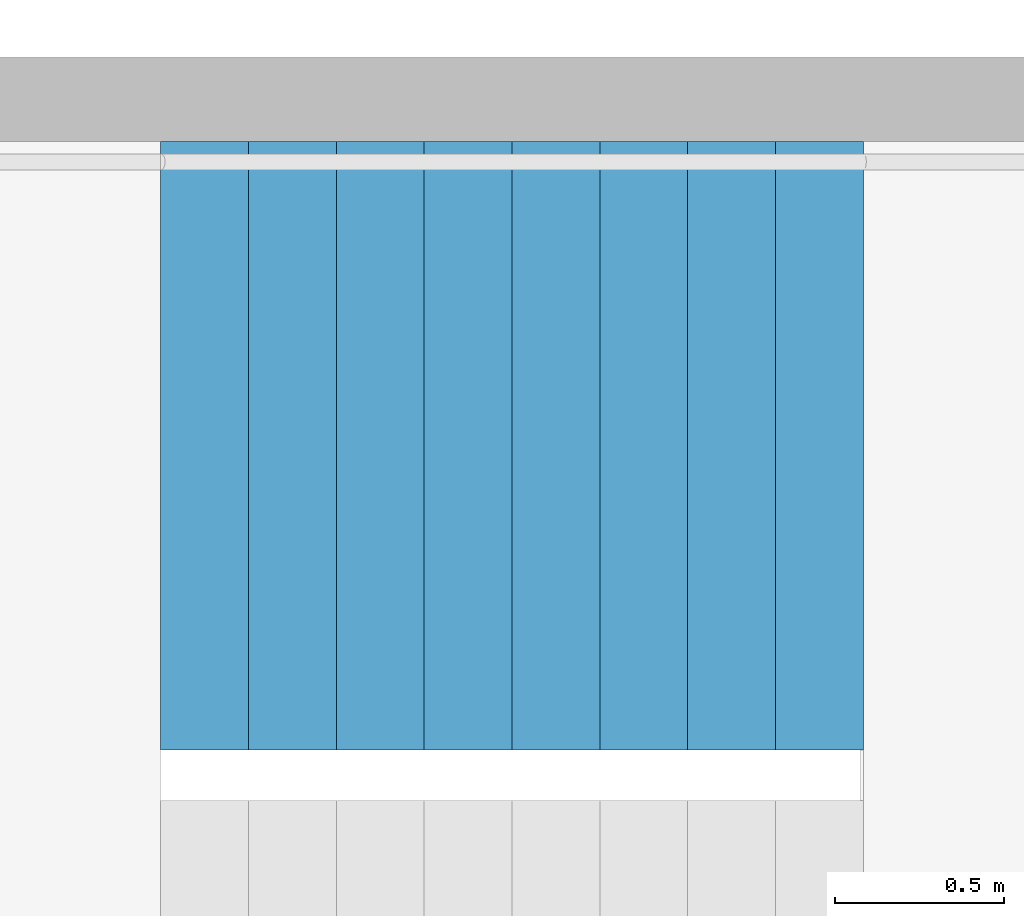
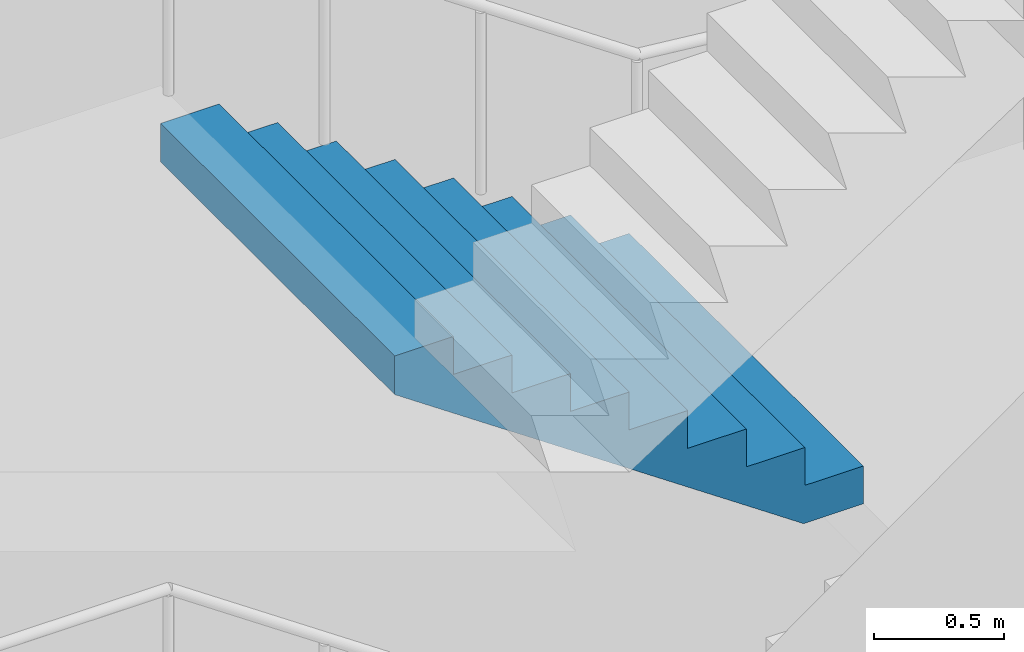
# One storey, part 20 of 44: 1 stair flight, 1 element without a shape of its own.
"""IFC4 building model written with IfcOpenShell, lengths in metres."""

from ifc_helpers import new_model, si_unit, direction, frame, origin, place, context, subcontext, project, spatial, triangles, material, type_object, element, aggregate, save


model = new_model("IFC4")

# Units and contexts
model_context = context("Model", 3, precision=1e-05, world=origin(), true_north=direction((0.0, 1.0)))
body_context = subcontext(model_context, "Body", "Model", "MODEL_VIEW")
ifc_project = project(units=[si_unit("LENGTHUNIT", "METRE"), si_unit("AREAUNIT", "SQUARE_METRE"), si_unit("VOLUMEUNIT", "CUBIC_METRE"), si_unit("PLANEANGLEUNIT", "RADIAN"), si_unit("MASSUNIT", "GRAM", prefix="KILO")], contexts=[model_context])

# Site, building, storey
site_placement = place(None, origin())
site = spatial("IfcSite", under=ifc_project, at=site_placement, CompositionType="ELEMENT")
building_placement = place(site_placement, origin())
building = spatial("IfcBuilding", under=site, at=building_placement, Name="Hakoniwa Tower and Hamabe Station Hall", CompositionType="ELEMENT")
storey_placement = place(building_placement, frame((0.0, 0.0, 69.0)))
storey = spatial("IfcBuildingStorey", under=building, at=storey_placement, Name="L19", CompositionType="ELEMENT", Elevation=69.0)

# Stair, stair flight
ifc_material_1 = material(Name="Concrete C40", Category="concrete")
stair_type = type_object("IfcStairType", Name="ESCAPE STAIR 1800", PredefinedType="HALF_TURN_STAIR", material=ifc_material_1)
stair_placement = place(storey_placement, origin())
stair = element("IfcStair", 1, at=stair_placement, inside=storey, type_object=stair_type, Name="Escape stair ST-2 L19", PredefinedType="HALF_TURN_STAIR")
ifc_material_2 = material(Name="Concrete C40", Category="concrete")
stair_flight_type = type_object("IfcStairFlightType", Name="STAIR FLIGHT 1800", PredefinedType="STRAIGHT", material=ifc_material_2)
stair_flight_placement = place(storey_placement, frame((-23.39990234375, -4.64990234375, 3.199951171875), z_axis=(0.0, 0.0, 1.0), x_axis=(-1.0, 0.0, 0.0)))
stair_flight = element("IfcStairFlight", 2, at=stair_flight_placement, type_object=stair_flight_type, Name="ST-2 flight 3", NumberOfRisers=9, NumberOfTreads=8, PredefinedType="STRAIGHT", RiserHeight=0.177777778, TreadLength=0.26, context=body_context, shape_type="Tessellation", body=[
    triangles([(0.0, 0.89990234375, 0.0), (0.260009765625, 0.89990234375, 0.0), (0.265625, 0.89990234375, 0.0), (0.52001953125, 0.89990234375, 0.174072265625), (0.780029296875, 0.89990234375, 0.351806640625), (1.0400390625, 0.89990234375, 0.529541015625), (1.300048828125, 0.89990234375, 0.707275390625), (1.56005859375, 0.89990234375, 0.885009765625), (1.820068359375, 0.89990234375, 1.062744140625), (2.080078125, 0.89990234375, 1.24072265625), (2.080078125, 0.89990234375, 1.422119140625), (1.820068359375, 0.89990234375, 1.422119140625), (1.820068359375, 0.89990234375, 1.244384765625), (1.56005859375, 0.89990234375, 1.244384765625), (1.56005859375, 0.89990234375, 1.066650390625), (1.300048828125, 0.89990234375, 1.066650390625), (1.300048828125, 0.89990234375, 0.888916015625), (1.0400390625, 0.89990234375, 0.888916015625), (1.0400390625, 0.89990234375, 0.711181640625), (0.780029296875, 0.89990234375, 0.711181640625), (0.780029296875, 0.89990234375, 0.533447265625), (0.52001953125, 0.89990234375, 0.533447265625), (0.52001953125, 0.89990234375, 0.35546875), (0.265625, 0.89990234375, 0.35546875), (0.260009765625, 0.89990234375, 0.35546875), (0.260009765625, 0.89990234375, 0.177734375), (0.0, 0.89990234375, 0.177734375), (0.0, 0.06005859375, 0.0), (0.260009765625, 0.06005859375, 0.0), (0.265625, 0.06005859375, 0.0), (0.52001953125, 0.06005859375, 0.174072265625), (0.780029296875, 0.06005859375, 0.351806640625), (1.0400390625, 0.06005859375, 0.529541015625), (1.300048828125, 0.06005859375, 0.707275390625), (1.56005859375, 0.06005859375, 0.885009765625), (1.820068359375, 0.06005859375, 1.062744140625), (2.080078125, 0.06005859375, 1.24072265625), (2.080078125, 0.06005859375, 1.422119140625), (1.820068359375, 0.06005859375, 1.422119140625), (1.820068359375, 0.06005859375, 1.244384765625), (1.56005859375, 0.06005859375, 1.244384765625), (1.56005859375, 0.06005859375, 1.066650390625), (1.300048828125, 0.06005859375, 1.066650390625), (1.300048828125, 0.06005859375, 0.888916015625), (1.0400390625, 0.06005859375, 0.888916015625), (1.0400390625, 0.06005859375, 0.711181640625), (0.780029296875, 0.06005859375, 0.711181640625), (0.780029296875, 0.06005859375, 0.533447265625), (0.52001953125, 0.06005859375, 0.533447265625), (0.52001953125, 0.06005859375, 0.35546875), (0.265625, 0.06005859375, 0.35546875), (0.260009765625, 0.06005859375, 0.35546875), (0.260009765625, 0.06005859375, 0.177734375), (0.0, 0.06005859375, 0.177734375), (0.0, 0.04296875, 0.0), (0.260009765625, 0.04296875, 0.0), (0.265625, 0.04296875, 0.0), (0.52001953125, 0.04296875, 0.174072265625), (0.780029296875, 0.04296875, 0.351806640625), (1.0400390625, 0.04296875, 0.529541015625), (1.300048828125, 0.04296875, 0.707275390625), (1.56005859375, 0.04296875, 0.885009765625), (1.820068359375, 0.04296875, 1.062744140625), (2.080078125, 0.04296875, 1.24072265625), (2.080078125, 0.04296875, 1.422119140625), (1.820068359375, 0.04296875, 1.422119140625), (1.820068359375, 0.04296875, 1.244384765625), (1.56005859375, 0.04296875, 1.244384765625), (1.56005859375, 0.04296875, 1.066650390625), (1.300048828125, 0.04296875, 1.066650390625), (1.300048828125, 0.04296875, 0.888916015625), (1.0400390625, 0.04296875, 0.888916015625), (1.0400390625, 0.04296875, 0.711181640625), (0.780029296875, 0.04296875, 0.711181640625), (0.780029296875, 0.04296875, 0.533447265625), (0.52001953125, 0.04296875, 0.533447265625), (0.52001953125, 0.04296875, 0.35546875), (0.265625, 0.04296875, 0.35546875), (0.260009765625, 0.04296875, 0.35546875), (0.260009765625, 0.04296875, 0.177734375), (0.0, 0.04296875, 0.177734375), (0.0, 0.025634765625, 0.0), (0.260009765625, 0.025634765625, 0.0), (0.265625, 0.025634765625, 0.0), (0.52001953125, 0.025634765625, 0.174072265625), (0.780029296875, 0.025634765625, 0.351806640625), (1.0400390625, 0.025634765625, 0.529541015625), (1.300048828125, 0.025634765625, 0.707275390625), (1.56005859375, 0.025634765625, 0.885009765625), (1.820068359375, 0.025634765625, 1.062744140625), (2.080078125, 0.025634765625, 1.24072265625), (2.080078125, 0.025634765625, 1.422119140625), (1.820068359375, 0.025634765625, 1.422119140625), (1.820068359375, 0.025634765625, 1.244384765625), (1.56005859375, 0.025634765625, 1.244384765625), (1.56005859375, 0.025634765625, 1.066650390625), (1.300048828125, 0.025634765625, 1.066650390625), (1.300048828125, 0.025634765625, 0.888916015625), (1.0400390625, 0.025634765625, 0.888916015625), (1.0400390625, 0.025634765625, 0.711181640625), (0.780029296875, 0.025634765625, 0.711181640625), (0.780029296875, 0.025634765625, 0.533447265625), (0.52001953125, 0.025634765625, 0.533447265625), (0.52001953125, 0.025634765625, 0.35546875), (0.265625, 0.025634765625, 0.35546875), (0.260009765625, 0.025634765625, 0.35546875), (0.260009765625, 0.025634765625, 0.177734375), (0.0, 0.025634765625, 0.177734375), (0.0, 0.008544921875, 0.0), (0.260009765625, 0.008544921875, 0.0), (0.265625, 0.008544921875, 0.0), (0.52001953125, 0.008544921875, 0.174072265625), (0.780029296875, 0.008544921875, 0.351806640625), (1.0400390625, 0.008544921875, 0.529541015625), (1.300048828125, 0.008544921875, 0.707275390625), (1.56005859375, 0.008544921875, 0.885009765625), (1.820068359375, 0.008544921875, 1.062744140625), (2.080078125, 0.008544921875, 1.24072265625), (2.080078125, 0.008544921875, 1.422119140625), (1.820068359375, 0.008544921875, 1.422119140625), (1.820068359375, 0.008544921875, 1.244384765625), (1.56005859375, 0.008544921875, 1.244384765625), (1.56005859375, 0.008544921875, 1.066650390625), (1.300048828125, 0.008544921875, 1.066650390625), (1.300048828125, 0.008544921875, 0.888916015625), (1.0400390625, 0.008544921875, 0.888916015625), (1.0400390625, 0.008544921875, 0.711181640625), (0.780029296875, 0.008544921875, 0.711181640625), (0.780029296875, 0.008544921875, 0.533447265625), (0.52001953125, 0.008544921875, 0.533447265625), (0.52001953125, 0.008544921875, 0.35546875), (0.265625, 0.008544921875, 0.35546875), (0.260009765625, 0.008544921875, 0.35546875), (0.260009765625, 0.008544921875, 0.177734375), (0.0, 0.008544921875, 0.177734375), (0.0, -0.008544921875, 0.0), (0.260009765625, -0.008544921875, 0.0), (0.265625, -0.008544921875, 0.0), (0.52001953125, -0.008544921875, 0.174072265625), (0.780029296875, -0.008544921875, 0.351806640625), (1.0400390625, -0.008544921875, 0.529541015625), (1.300048828125, -0.008544921875, 0.707275390625), (1.56005859375, -0.008544921875, 0.885009765625), (1.820068359375, -0.008544921875, 1.062744140625), (2.080078125, -0.008544921875, 1.24072265625), (2.080078125, -0.008544921875, 1.422119140625), (1.820068359375, -0.008544921875, 1.422119140625), (1.820068359375, -0.008544921875, 1.244384765625), (1.56005859375, -0.008544921875, 1.244384765625), (1.56005859375, -0.008544921875, 1.066650390625), (1.300048828125, -0.008544921875, 1.066650390625), (1.300048828125, -0.008544921875, 0.888916015625), (1.0400390625, -0.008544921875, 0.888916015625), (1.0400390625, -0.008544921875, 0.711181640625), (0.780029296875, -0.008544921875, 0.711181640625), (0.780029296875, -0.008544921875, 0.533447265625), (0.52001953125, -0.008544921875, 0.533447265625), (0.52001953125, -0.008544921875, 0.35546875), (0.265625, -0.008544921875, 0.35546875), (0.260009765625, -0.008544921875, 0.35546875), (0.260009765625, -0.008544921875, 0.177734375), (0.0, -0.008544921875, 0.177734375), (0.0, -0.025634765625, 0.0), (0.260009765625, -0.025634765625, 0.0), (0.265625, -0.025634765625, 0.0), (0.52001953125, -0.025634765625, 0.174072265625), (0.780029296875, -0.025634765625, 0.351806640625), (1.0400390625, -0.025634765625, 0.529541015625), (1.300048828125, -0.025634765625, 0.707275390625), (1.56005859375, -0.025634765625, 0.885009765625), (1.820068359375, -0.025634765625, 1.062744140625), (2.080078125, -0.025634765625, 1.24072265625), (2.080078125, -0.025634765625, 1.422119140625), (1.820068359375, -0.025634765625, 1.422119140625), (1.820068359375, -0.025634765625, 1.244384765625), (1.56005859375, -0.025634765625, 1.244384765625), (1.56005859375, -0.025634765625, 1.066650390625), (1.300048828125, -0.025634765625, 1.066650390625), (1.300048828125, -0.025634765625, 0.888916015625), (1.0400390625, -0.025634765625, 0.888916015625), (1.0400390625, -0.025634765625, 0.711181640625), (0.780029296875, -0.025634765625, 0.711181640625), (0.780029296875, -0.025634765625, 0.533447265625), (0.52001953125, -0.025634765625, 0.533447265625), (0.52001953125, -0.025634765625, 0.35546875), (0.265625, -0.025634765625, 0.35546875), (0.260009765625, -0.025634765625, 0.35546875), (0.260009765625, -0.025634765625, 0.177734375), (0.0, -0.025634765625, 0.177734375), (0.0, -0.04296875, 0.0), (0.260009765625, -0.04296875, 0.0), (0.265625, -0.04296875, 0.0), (0.52001953125, -0.04296875, 0.174072265625), (0.780029296875, -0.04296875, 0.351806640625), (1.0400390625, -0.04296875, 0.529541015625), (1.300048828125, -0.04296875, 0.707275390625), (1.56005859375, -0.04296875, 0.885009765625), (1.820068359375, -0.04296875, 1.062744140625), (2.080078125, -0.04296875, 1.24072265625), (2.080078125, -0.04296875, 1.422119140625), (1.820068359375, -0.04296875, 1.422119140625), (1.820068359375, -0.04296875, 1.244384765625), (1.56005859375, -0.04296875, 1.244384765625), (1.56005859375, -0.04296875, 1.066650390625), (1.300048828125, -0.04296875, 1.066650390625), (1.300048828125, -0.04296875, 0.888916015625), (1.0400390625, -0.04296875, 0.888916015625), (1.0400390625, -0.04296875, 0.711181640625), (0.780029296875, -0.04296875, 0.711181640625), (0.780029296875, -0.04296875, 0.533447265625), (0.52001953125, -0.04296875, 0.533447265625), (0.52001953125, -0.04296875, 0.35546875), (0.265625, -0.04296875, 0.35546875), (0.260009765625, -0.04296875, 0.35546875), (0.260009765625, -0.04296875, 0.177734375), (0.0, -0.04296875, 0.177734375), (0.0, -0.06005859375, 0.0), (0.260009765625, -0.06005859375, 0.0), (0.265625, -0.06005859375, 0.0), (0.52001953125, -0.06005859375, 0.174072265625), (0.780029296875, -0.06005859375, 0.351806640625), (1.0400390625, -0.06005859375, 0.529541015625), (1.300048828125, -0.06005859375, 0.707275390625), (1.56005859375, -0.06005859375, 0.885009765625), (1.820068359375, -0.06005859375, 1.062744140625), (2.080078125, -0.06005859375, 1.24072265625), (2.080078125, -0.06005859375, 1.422119140625), (1.820068359375, -0.06005859375, 1.422119140625), (1.820068359375, -0.06005859375, 1.244384765625), (1.56005859375, -0.06005859375, 1.244384765625), (1.56005859375, -0.06005859375, 1.066650390625), (1.300048828125, -0.06005859375, 1.066650390625), (1.300048828125, -0.06005859375, 0.888916015625), (1.0400390625, -0.06005859375, 0.888916015625), (1.0400390625, -0.06005859375, 0.711181640625), (0.780029296875, -0.06005859375, 0.711181640625), (0.780029296875, -0.06005859375, 0.533447265625), (0.52001953125, -0.06005859375, 0.533447265625), (0.52001953125, -0.06005859375, 0.35546875), (0.265625, -0.06005859375, 0.35546875), (0.260009765625, -0.06005859375, 0.35546875), (0.260009765625, -0.06005859375, 0.177734375), (0.0, -0.06005859375, 0.177734375), (0.0, -0.89990234375, 0.0), (0.260009765625, -0.89990234375, 0.0), (0.265625, -0.89990234375, 0.0), (0.52001953125, -0.89990234375, 0.174072265625), (0.780029296875, -0.89990234375, 0.351806640625), (1.0400390625, -0.89990234375, 0.529541015625), (1.300048828125, -0.89990234375, 0.707275390625), (1.56005859375, -0.89990234375, 0.885009765625), (1.820068359375, -0.89990234375, 1.062744140625), (2.080078125, -0.89990234375, 1.24072265625), (2.080078125, -0.89990234375, 1.422119140625), (1.820068359375, -0.89990234375, 1.422119140625), (1.820068359375, -0.89990234375, 1.244384765625), (1.56005859375, -0.89990234375, 1.244384765625), (1.56005859375, -0.89990234375, 1.066650390625), (1.300048828125, -0.89990234375, 1.066650390625), (1.300048828125, -0.89990234375, 0.888916015625), (1.0400390625, -0.89990234375, 0.888916015625), (1.0400390625, -0.89990234375, 0.711181640625), (0.780029296875, -0.89990234375, 0.711181640625), (0.780029296875, -0.89990234375, 0.533447265625), (0.52001953125, -0.89990234375, 0.533447265625), (0.52001953125, -0.89990234375, 0.35546875), (0.265625, -0.89990234375, 0.35546875), (0.260009765625, -0.89990234375, 0.35546875), (0.260009765625, -0.89990234375, 0.177734375), (0.0, -0.89990234375, 0.177734375)], [[2, 27, 26], [245, 269, 270], [2, 1, 27], [245, 270, 244], [3, 25, 24], [246, 267, 268], [3, 26, 25], [246, 268, 269], [3, 2, 26], [246, 269, 245], [4, 24, 23], [247, 266, 267], [4, 3, 24], [247, 267, 246], [5, 22, 21], [248, 264, 265], [5, 23, 22], [248, 265, 266], [5, 4, 23], [248, 266, 247], [6, 20, 19], [249, 262, 263], [6, 21, 20], [249, 263, 264], [6, 5, 21], [249, 264, 248], [7, 18, 17], [250, 260, 261], [7, 19, 18], [250, 261, 262], [7, 6, 19], [250, 262, 249], [8, 16, 15], [251, 258, 259], [8, 17, 16], [251, 259, 260], [8, 7, 17], [251, 260, 250], [9, 14, 13], [252, 256, 257], [9, 15, 14], [252, 257, 258], [9, 8, 15], [252, 258, 251], [10, 12, 11], [253, 254, 255], [10, 13, 12], [253, 255, 256], [10, 9, 13], [253, 256, 252], [1, 2, 29], [1, 29, 28], [28, 29, 56], [28, 56, 55], [55, 56, 83], [55, 83, 82], [82, 83, 110], [82, 110, 109], [109, 110, 137], [109, 137, 136], [136, 137, 164], [136, 164, 163], [163, 164, 191], [163, 191, 190], [190, 191, 218], [190, 218, 217], [217, 218, 245], [217, 245, 244], [2, 3, 30], [2, 30, 29], [29, 30, 57], [29, 57, 56], [56, 57, 84], [56, 84, 83], [83, 84, 111], [83, 111, 110], [110, 111, 138], [110, 138, 137], [137, 138, 165], [137, 165, 164], [164, 165, 192], [164, 192, 191], [191, 192, 219], [191, 219, 218], [218, 219, 246], [218, 246, 245], [3, 4, 31], [3, 31, 30], [30, 31, 58], [30, 58, 57], [57, 58, 85], [57, 85, 84], [84, 85, 112], [84, 112, 111], [111, 112, 139], [111, 139, 138], [138, 139, 166], [138, 166, 165], [165, 166, 193], [165, 193, 192], [192, 193, 220], [192, 220, 219], [219, 220, 247], [219, 247, 246], [4, 5, 32], [4, 32, 31], [31, 32, 59], [31, 59, 58], [58, 59, 86], [58, 86, 85], [85, 86, 113], [85, 113, 112], [112, 113, 140], [112, 140, 139], [139, 140, 167], [139, 167, 166], [166, 167, 194], [166, 194, 193], [193, 194, 221], [193, 221, 220], [220, 221, 248], [220, 248, 247], [5, 6, 33], [5, 33, 32], [32, 33, 60], [32, 60, 59], [59, 60, 87], [59, 87, 86], [86, 87, 114], [86, 114, 113], [113, 114, 141], [113, 141, 140], [140, 141, 168], [140, 168, 167], [167, 168, 195], [167, 195, 194], [194, 195, 222], [194, 222, 221], [221, 222, 249], [221, 249, 248], [6, 7, 34], [6, 34, 33], [33, 34, 61], [33, 61, 60], [60, 61, 88], [60, 88, 87], [87, 88, 115], [87, 115, 114], [114, 115, 142], [114, 142, 141], [141, 142, 169], [141, 169, 168], [168, 169, 196], [168, 196, 195], [195, 196, 223], [195, 223, 222], [222, 223, 250], [222, 250, 249], [7, 8, 35], [7, 35, 34], [34, 35, 62], [34, 62, 61], [61, 62, 89], [61, 89, 88], [88, 89, 116], [88, 116, 115], [115, 116, 143], [115, 143, 142], [142, 143, 170], [142, 170, 169], [169, 170, 197], [169, 197, 196], [196, 197, 224], [196, 224, 223], [223, 224, 251], [223, 251, 250], [8, 9, 36], [8, 36, 35], [35, 36, 63], [35, 63, 62], [62, 63, 90], [62, 90, 89], [89, 90, 117], [89, 117, 116], [116, 117, 144], [116, 144, 143], [143, 144, 171], [143, 171, 170], [170, 171, 198], [170, 198, 197], [197, 198, 225], [197, 225, 224], [224, 225, 252], [224, 252, 251], [9, 10, 37], [9, 37, 36], [36, 37, 64], [36, 64, 63], [63, 64, 91], [63, 91, 90], [90, 91, 118], [90, 118, 117], [117, 118, 145], [117, 145, 144], [144, 145, 172], [144, 172, 171], [171, 172, 199], [171, 199, 198], [198, 199, 226], [198, 226, 225], [225, 226, 253], [225, 253, 252], [10, 11, 38], [10, 38, 37], [37, 38, 65], [37, 65, 64], [64, 65, 92], [64, 92, 91], [91, 92, 119], [91, 119, 118], [118, 119, 146], [118, 146, 145], [145, 146, 173], [145, 173, 172], [172, 173, 200], [172, 200, 199], [199, 200, 227], [199, 227, 226], [226, 227, 254], [226, 254, 253], [11, 12, 39], [11, 39, 38], [38, 39, 66], [38, 66, 65], [65, 66, 93], [65, 93, 92], [92, 93, 120], [92, 120, 119], [119, 120, 147], [119, 147, 146], [146, 147, 174], [146, 174, 173], [173, 174, 201], [173, 201, 200], [200, 201, 228], [200, 228, 227], [227, 228, 255], [227, 255, 254], [12, 13, 40], [12, 40, 39], [39, 40, 67], [39, 67, 66], [66, 67, 94], [66, 94, 93], [93, 94, 121], [93, 121, 120], [120, 121, 148], [120, 148, 147], [147, 148, 175], [147, 175, 174], [174, 175, 202], [174, 202, 201], [201, 202, 229], [201, 229, 228], [228, 229, 256], [228, 256, 255], [13, 14, 41], [13, 41, 40], [40, 41, 68], [40, 68, 67], [67, 68, 95], [67, 95, 94], [94, 95, 122], [94, 122, 121], [121, 122, 149], [121, 149, 148], [148, 149, 176], [148, 176, 175], [175, 176, 203], [175, 203, 202], [202, 203, 230], [202, 230, 229], [229, 230, 257], [229, 257, 256], [14, 15, 42], [14, 42, 41], [41, 42, 69], [41, 69, 68], [68, 69, 96], [68, 96, 95], [95, 96, 123], [95, 123, 122], [122, 123, 150], [122, 150, 149], [149, 150, 177], [149, 177, 176], [176, 177, 204], [176, 204, 203], [203, 204, 231], [203, 231, 230], [230, 231, 258], [230, 258, 257], [15, 16, 43], [15, 43, 42], [42, 43, 70], [42, 70, 69], [69, 70, 97], [69, 97, 96], [96, 97, 124], [96, 124, 123], [123, 124, 151], [123, 151, 150], [150, 151, 178], [150, 178, 177], [177, 178, 205], [177, 205, 204], [204, 205, 232], [204, 232, 231], [231, 232, 259], [231, 259, 258], [16, 17, 44], [16, 44, 43], [43, 44, 71], [43, 71, 70], [70, 71, 98], [70, 98, 97], [97, 98, 125], [97, 125, 124], [124, 125, 152], [124, 152, 151], [151, 152, 179], [151, 179, 178], [178, 179, 206], [178, 206, 205], [205, 206, 233], [205, 233, 232], [232, 233, 260], [232, 260, 259], [17, 18, 45], [17, 45, 44], [44, 45, 72], [44, 72, 71], [71, 72, 99], [71, 99, 98], [98, 99, 126], [98, 126, 125], [125, 126, 153], [125, 153, 152], [152, 153, 180], [152, 180, 179], [179, 180, 207], [179, 207, 206], [206, 207, 234], [206, 234, 233], [233, 234, 261], [233, 261, 260], [18, 19, 46], [18, 46, 45], [45, 46, 73], [45, 73, 72], [72, 73, 100], [72, 100, 99], [99, 100, 127], [99, 127, 126], [126, 127, 154], [126, 154, 153], [153, 154, 181], [153, 181, 180], [180, 181, 208], [180, 208, 207], [207, 208, 235], [207, 235, 234], [234, 235, 262], [234, 262, 261], [19, 20, 47], [19, 47, 46], [46, 47, 74], [46, 74, 73], [73, 74, 101], [73, 101, 100], [100, 101, 128], [100, 128, 127], [127, 128, 155], [127, 155, 154], [154, 155, 182], [154, 182, 181], [181, 182, 209], [181, 209, 208], [208, 209, 236], [208, 236, 235], [235, 236, 263], [235, 263, 262], [20, 21, 48], [20, 48, 47], [47, 48, 75], [47, 75, 74], [74, 75, 102], [74, 102, 101], [101, 102, 129], [101, 129, 128], [128, 129, 156], [128, 156, 155], [155, 156, 183], [155, 183, 182], [182, 183, 210], [182, 210, 209], [209, 210, 237], [209, 237, 236], [236, 237, 264], [236, 264, 263], [21, 22, 49], [21, 49, 48], [48, 49, 76], [48, 76, 75], [75, 76, 103], [75, 103, 102], [102, 103, 130], [102, 130, 129], [129, 130, 157], [129, 157, 156], [156, 157, 184], [156, 184, 183], [183, 184, 211], [183, 211, 210], [210, 211, 238], [210, 238, 237], [237, 238, 265], [237, 265, 264], [22, 23, 50], [22, 50, 49], [49, 50, 77], [49, 77, 76], [76, 77, 104], [76, 104, 103], [103, 104, 131], [103, 131, 130], [130, 131, 158], [130, 158, 157], [157, 158, 185], [157, 185, 184], [184, 185, 212], [184, 212, 211], [211, 212, 239], [211, 239, 238], [238, 239, 266], [238, 266, 265], [23, 24, 51], [23, 51, 50], [50, 51, 78], [50, 78, 77], [77, 78, 105], [77, 105, 104], [104, 105, 132], [104, 132, 131], [131, 132, 159], [131, 159, 158], [158, 159, 186], [158, 186, 185], [185, 186, 213], [185, 213, 212], [212, 213, 240], [212, 240, 239], [239, 240, 267], [239, 267, 266], [24, 25, 52], [24, 52, 51], [51, 52, 79], [51, 79, 78], [78, 79, 106], [78, 106, 105], [105, 106, 133], [105, 133, 132], [132, 133, 160], [132, 160, 159], [159, 160, 187], [159, 187, 186], [186, 187, 214], [186, 214, 213], [213, 214, 241], [213, 241, 240], [240, 241, 268], [240, 268, 267], [25, 26, 53], [25, 53, 52], [52, 53, 80], [52, 80, 79], [79, 80, 107], [79, 107, 106], [106, 107, 134], [106, 134, 133], [133, 134, 161], [133, 161, 160], [160, 161, 188], [160, 188, 187], [187, 188, 215], [187, 215, 214], [214, 215, 242], [214, 242, 241], [241, 242, 269], [241, 269, 268], [26, 27, 54], [26, 54, 53], [53, 54, 81], [53, 81, 80], [80, 81, 108], [80, 108, 107], [107, 108, 135], [107, 135, 134], [134, 135, 162], [134, 162, 161], [161, 162, 189], [161, 189, 188], [188, 189, 216], [188, 216, 215], [215, 216, 243], [215, 243, 242], [242, 243, 270], [242, 270, 269], [27, 1, 28], [27, 28, 54], [54, 28, 55], [54, 55, 81], [81, 55, 82], [81, 82, 108], [108, 82, 109], [108, 109, 135], [135, 109, 136], [135, 136, 162], [162, 136, 163], [162, 163, 189], [189, 163, 190], [189, 190, 216], [216, 190, 217], [216, 217, 243], [243, 217, 244], [243, 244, 270]], closed=True),
])
aggregate(stair, [stair_flight])

save(model, "model.ifc")
